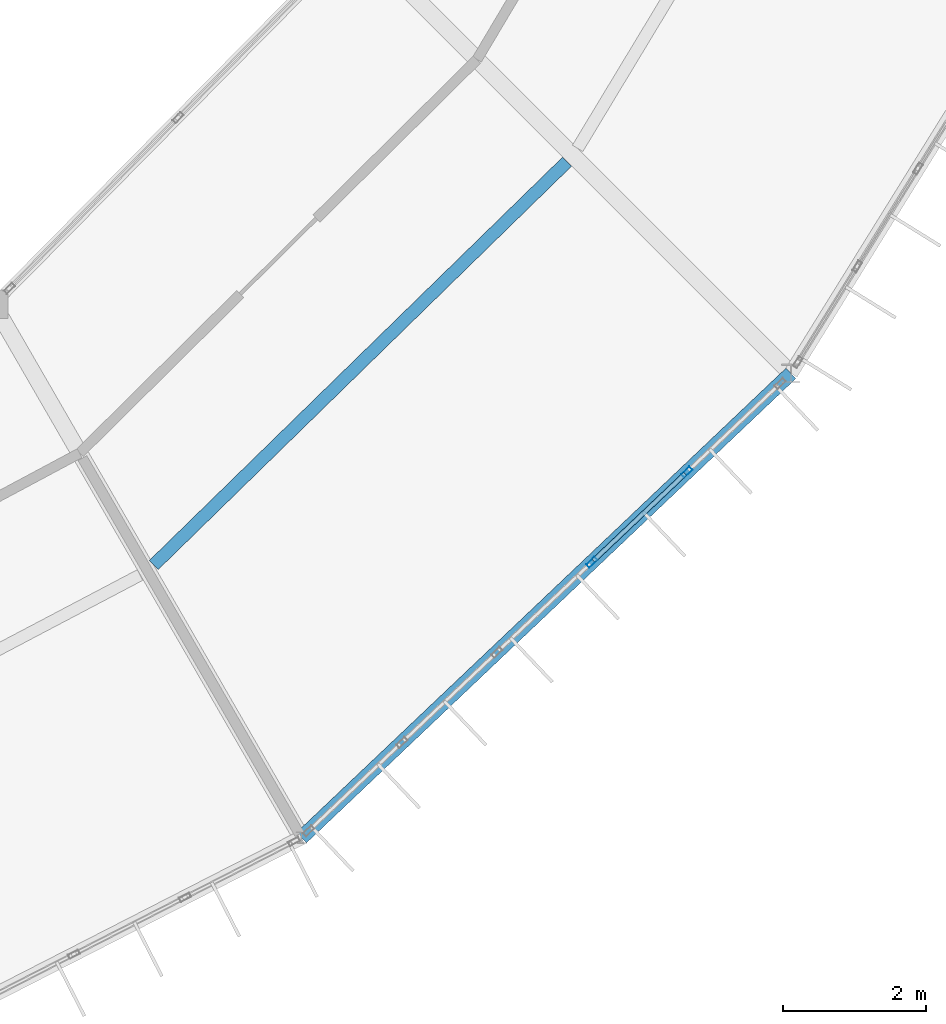
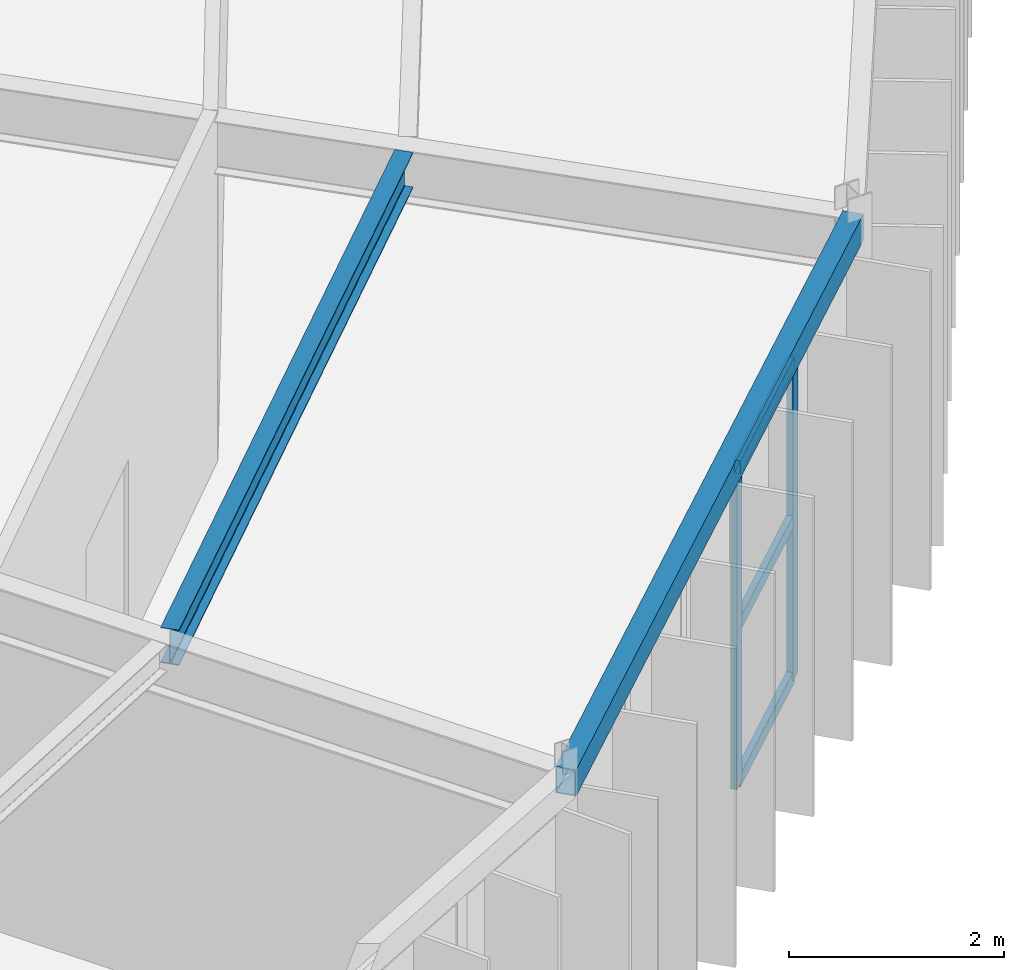
# One storey, part 59 of 157: 5 members, 2 beams, 1 element without a shape of its own.
"""IFC4 building model written with IfcOpenShell, lengths in metres."""

import ifcopenshell
import ifcopenshell.guid

model = None  # the IFC model being written
_history = None  # IfcOwnerHistory: only IFC2X3 demands one
_inside = {}  # id of a spatial element -> (the spatial element, [elements in it])
_under = {}  # id of a project, library or spatial element -> (it, [spatial elements below it])
_declared = {}  # id of a project -> (the project, [libraries it declares])
_typed = {}  # id of a type object -> (the type object, [elements of that type])
_made_of = {}  # id of a material, layer set ... -> (it, [elements and type objects made of it])


def new_model(schema):
    """Start an empty IFC model of exactly this schema.

    Asked for "IFC4X3", IfcOpenShell would pick the latest addendum, in which some entities
    have other attributes; the version numbers below select the first issue.
    IFC2X3 requires an IfcOwnerHistory on every rooted entity: one is made here for all.
    """
    global model, _history
    if schema == "IFC4X3":
        model = ifcopenshell.file(schema_version=(4, 3, 0, 0))
    else:
        model = ifcopenshell.file(schema=schema)
    _inside.clear()
    _under.clear()
    _declared.clear()
    _typed.clear()
    _made_of.clear()
    _history = None
    if model.schema == "IFC2X3":
        org = make("IfcOrganization", Name="unknown")
        user = make(
            "IfcPersonAndOrganization",
            ThePerson=make("IfcPerson", FamilyName="unknown"),
            TheOrganization=org,
        )
        app = make(
            "IfcApplication",
            ApplicationDeveloper=org,
            Version="unknown",
            ApplicationFullName="unknown",
            ApplicationIdentifier="unknown",
        )
        _history = make(
            "IfcOwnerHistory",
            OwningUser=user,
            OwningApplication=app,
            ChangeAction="ADDED",
            CreationDate=0,
        )
    return model


def make(cls, **values):
    """One entity of the class cls with the attributes given. An attribute that is None is left unset."""
    return model.create_entity(
        cls, **{name: value for name, value in values.items() if value is not None}
    )


def rooted(cls, **values):
    """An entity with a GlobalId (a new one), such as an element, a storey or a relation."""
    return make(cls, GlobalId=ifcopenshell.guid.new(), OwnerHistory=_history, **values)


def si_unit(unit_type, name, prefix=None):
    """IfcSIUnit, for example si_unit("LENGTHUNIT", "METRE", prefix="MILLI")."""
    return make("IfcSIUnit", UnitType=unit_type, Prefix=prefix, Name=name)


def assignment(units):
    """IfcUnitAssignment: the units of a project."""
    return None if units is None else make("IfcUnitAssignment", Units=units)


def point(xyz):
    """IfcCartesianPoint."""
    return None if xyz is None else make("IfcCartesianPoint", Coordinates=xyz)


def direction(xyz):
    """IfcDirection."""
    return None if xyz is None else make("IfcDirection", DirectionRatios=xyz)


def frame(location, z_axis=None, x_axis=None):
    """IfcAxis2Placement3D, a coordinate frame: its origin and axes. An axis left out is left unset."""
    return make(
        "IfcAxis2Placement3D",
        Location=point(location),
        Axis=direction(z_axis),
        RefDirection=direction(x_axis),
    )


def frame_2d(location, x_axis=None):
    """IfcAxis2Placement2D, a coordinate frame in the plane: its origin and x axis."""
    return make(
        "IfcAxis2Placement2D", Location=point(location), RefDirection=direction(x_axis)
    )


def origin():
    """The frame at (0, 0, 0) with its axes left unset."""
    return frame((0.0, 0.0, 0.0))


def origin_2d():
    """The frame at (0, 0) in the plane with its x axis left unset."""
    return frame_2d((0.0, 0.0))


def place(relative_to, where):
    """IfcLocalPlacement: puts the frame where relative to a parent placement (None: the world)."""
    return make(
        "IfcLocalPlacement", PlacementRelTo=relative_to, RelativePlacement=where
    )


def context(
    kind, dimensions, precision=None, world=None, true_north=None, identifier=None
):
    """IfcGeometricRepresentationContext, for example the 3D "Model" context."""
    return make(
        "IfcGeometricRepresentationContext",
        ContextIdentifier=identifier,
        ContextType=kind,
        CoordinateSpaceDimension=dimensions,
        Precision=precision,
        WorldCoordinateSystem=world,
        TrueNorth=true_north,
    )


def subcontext(parent, identifier, kind, view, scale=None):
    """IfcGeometricRepresentationSubContext, for example "Body" below "Model"."""
    return make(
        "IfcGeometricRepresentationSubContext",
        ContextIdentifier=identifier,
        ContextType=kind,
        ParentContext=parent,
        TargetScale=scale,
        TargetView=view,
    )


def project(units=None, contexts=None):
    """IfcProject with its units and contexts."""
    return rooted(
        "IfcProject",
        Name="project",
        RepresentationContexts=contexts,
        UnitsInContext=assignment(units),
    )


def spatial(cls, under=None, at=None, **own):
    """A site, building, storey or space (cls), placed at a placement, below another one or the project."""
    s = rooted(cls, ObjectPlacement=at, **own)
    if under is not None:
        _under.setdefault(under.id(), (under, []))[1].append(s)
    return s


def profile(cls, at=None, kind="AREA", **sizes):
    """A parametric profile (cls). Its sizes go by their IFC names, for example OverallWidth=200.0."""
    return make(cls, ProfileType=kind, Position=at, **sizes)


def hollow_rectangle(**sizes):
    """IfcRectangleHollowProfileDef."""
    return profile("IfcRectangleHollowProfileDef", **sizes)


def i_section(**sizes):
    """IfcIShapeProfileDef."""
    return profile("IfcIShapeProfileDef", **sizes)


def extrude(swept, where, along, depth):
    """IfcExtrudedAreaSolid: the profile swept, set in the frame where, extruded along a direction by depth."""
    return make(
        "IfcExtrudedAreaSolid",
        SweptArea=swept,
        Position=where,
        ExtrudedDirection=direction(along),
        Depth=depth,
    )


def shape(context_of_items, identifier, shape_type, items):
    """IfcShapeRepresentation: the items that make up one representation, for example the "Body"."""
    return make(
        "IfcShapeRepresentation",
        ContextOfItems=context_of_items,
        RepresentationIdentifier=identifier,
        RepresentationType=shape_type,
        Items=items,
    )


def material(Name=None, Category=None):
    """IfcMaterial."""
    return make("IfcMaterial", Name=Name, Category=Category)


def material_profile(
    of_material, cross_section, Name=None, Category=None, Priority=None
):
    """IfcMaterialProfile: a cross section and its material."""
    return make(
        "IfcMaterialProfile",
        Name=Name,
        Material=of_material,
        Profile=cross_section,
        Priority=Priority,
        Category=Category,
    )


def profile_set(profiles, Name=None, composite=None):
    """IfcMaterialProfileSet."""
    return make(
        "IfcMaterialProfileSet",
        Name=Name,
        MaterialProfiles=profiles,
        CompositeProfile=composite,
    )


def made_of(thing, what):
    """Note that an element or type object is made of a material, layer set ...; save() writes the relation."""
    if what is not None:
        _made_of.setdefault(what.id(), (what, []))[1].append(thing)
    return thing


def type_object(cls, material=None, **own):
    """A type object (cls), such as IfcWallType, which elements share."""
    return made_of(rooted(cls, **own), material)


def element(
    cls,
    number,
    at=None,
    inside=None,
    cuts=None,
    type_object=None,
    material=None,
    context=None,
    identifier="Body",
    shape_type=None,
    held_by="IfcProductDefinitionShape",
    body=None,
    shapes=None,
    **own,
):
    """One element of the class cls, such as IfcWall. Its Tag is "e" and its number.

    at: its placement. inside: the storey or other place that contains it. cuts: it is an
    opening in that element (IfcRelVoidsElement). A single representation is given by context,
    identifier, shape_type and body (its items); several are given by shapes. held_by: the class
    of the entity that holds the representations. save() writes the other relations.
    """
    e = rooted(cls, Tag="e%d" % number, ObjectPlacement=at, **own)
    if body is not None:
        shapes = [shape(context, identifier, shape_type, body)]
    if shapes is not None:
        e.Representation = make(held_by, Representations=shapes)
    if inside is not None:
        _inside.setdefault(inside.id(), (inside, []))[1].append(e)
    if cuts is not None:
        rooted(
            "IfcRelVoidsElement", RelatingBuildingElement=cuts, RelatedOpeningElement=e
        )
    if type_object is not None:
        _typed.setdefault(type_object.id(), (type_object, []))[1].append(e)
    return made_of(e, material)


def aggregate(whole, parts):
    """IfcRelAggregates: a whole, such as a stair, and the parts it consists of."""
    return rooted("IfcRelAggregates", RelatingObject=whole, RelatedObjects=parts)


def save(model, path):
    """Write the relations noted so far, then the file.

    IfcRelAggregates (storeys below a building ...), IfcRelContainedInSpatialStructure (elements
    in a storey), IfcRelDefinesByType, IfcRelAssociatesMaterial and IfcRelDeclares: one each for
    every whole, place, type object, material and project.
    """
    for whole, parts in _under.values():
        aggregate(whole, parts)
    for where, things in _inside.values():
        rooted(
            "IfcRelContainedInSpatialStructure",
            RelatedElements=things,
            RelatingStructure=where,
        )
    for kind, things in _typed.values():
        rooted("IfcRelDefinesByType", RelatedObjects=things, RelatingType=kind)
    for what, things in _made_of.values():
        rooted("IfcRelAssociatesMaterial", RelatedObjects=things, RelatingMaterial=what)
    for by, libraries in _declared.values():
        rooted("IfcRelDeclares", RelatingContext=by, RelatedDefinitions=libraries)
    model.write(path)


model = new_model("IFC4")

# Units and contexts
model_context = context("Model", 3, precision=1e-05, world=origin(), true_north=direction((0.0, 1.0)))
body_context = subcontext(model_context, "Body", "Model", "MODEL_VIEW")
ifc_project = project(units=[si_unit("LENGTHUNIT", "METRE"), si_unit("AREAUNIT", "SQUARE_METRE"), si_unit("VOLUMEUNIT", "CUBIC_METRE"), si_unit("PLANEANGLEUNIT", "RADIAN"), si_unit("MASSUNIT", "GRAM", prefix="KILO")], contexts=[model_context])

# Site, building, storey
site_placement = place(None, origin())
site = spatial("IfcSite", under=ifc_project, at=site_placement, CompositionType="ELEMENT")
building_placement = place(site_placement, origin())
building = spatial("IfcBuilding", under=site, at=building_placement, Name="Karori Crest Natural Sciences Institute", CompositionType="ELEMENT")
storey_placement = place(building_placement, frame((0.0, 0.0, 13.300048828125)))
storey = spatial("IfcBuildingStorey", under=building, at=storey_placement, Name="L03", CompositionType="ELEMENT", Elevation=13.300048828125)

# Beams
ifc_material_1 = material(Name="Hollow structural steel AS/NZS 1163 Grade C350", Category="steel")
ifc_material_profile_1 = material_profile(ifc_material_1, hollow_rectangle(XDim=0.199951171875, YDim=0.300048828125, WallThickness=0.010009765625, at=origin_2d()), Name="RHS300x200x10")
ifc_profile_set_1 = profile_set([ifc_material_profile_1], Name="Hollow structural steel AS/NZS 1163 Grade C350")
beam_type_1 = type_object("IfcBeamType", Name="BT-15", PredefinedType="SPANDREL", material=ifc_profile_set_1)
beam_1_placement = place(storey_placement, frame((82.89990234375, 14.566162109375, 3.7900390625), z_axis=(0.725481282589, 0.688241896874, 0.0), x_axis=(-0.688241896874, 0.725481282589, 0.0)))
element("IfcBeam", 1, at=beam_1_placement, inside=storey, type_object=beam_type_1, Name="Beam B-0436", PredefinedType="SPANDREL", context=body_context, shape_type="SweptSolid", body=[
    extrude(hollow_rectangle(XDim=0.199951171875, YDim=0.300048828125, WallThickness=0.010009765625, at=origin_2d()), origin(), (0.0, 0.0, 1.0), 9.4208984375),
])
ifc_material_2 = material(Name="Structural steel AS/NZS 3679.1 Grade 350", Category="steel")
ifc_material_profile_2 = material_profile(ifc_material_2, i_section(OverallWidth=0.177978515625, OverallDepth=0.403076171875, WebThickness=0.007568359375, FlangeThickness=0.010986328125, FilletRadius=0.010986328125, at=origin_2d()), Name="410UB53.7")
ifc_profile_set_2 = profile_set([ifc_material_profile_2], Name="Structural steel AS/NZS 3679.1 Grade 350")
beam_type_2 = type_object("IfcBeamType", Name="BT-29", PredefinedType="BEAM", material=ifc_profile_set_2)
beam_2_placement = place(storey_placement, frame((80.8359375, 18.373779296875, 3.738525390625), z_axis=(0.715681193625, 0.698427110794, 0.0), x_axis=(-0.698427110794, 0.715681193625, 0.0)))
element("IfcBeam", 2, at=beam_2_placement, inside=storey, type_object=beam_type_2, Name="Beam B-0439", PredefinedType="BEAM", context=body_context, shape_type="SweptSolid", body=[
    extrude(i_section(OverallWidth=0.177978515625, OverallDepth=0.403076171875, WebThickness=0.007568359375, FlangeThickness=0.010986328125, FilletRadius=0.010986328125, at=origin_2d()), origin(), (0.0, 0.0, 1.0), 8.0654296875),
])

# Curtain wall, members
ifc_material_3 = material(Name="Anodised architectural aluminium 6063-T6", Category="aluminium")
curtain_wall_type = type_object("IfcCurtainWallType", Name="CWT-01", PredefinedType="NOTDEFINED", material=ifc_material_3)
curtain_wall_placement = place(storey_placement, origin())
curtain_wall = element("IfcCurtainWall", 3, at=curtain_wall_placement, inside=storey, type_object=curtain_wall_type, Name="Curtain wall CW-0130", PredefinedType="NOTDEFINED")
ifc_material_profile_3 = material_profile(ifc_material_3, hollow_rectangle(XDim=0.06494140625, YDim=0.159912109375, WallThickness=0.00390625, at=origin_2d()), Name="CWM160x65x4")
ifc_profile_set_3 = profile_set([ifc_material_profile_3], Name="Anodised architectural aluminium 6063-T6")
member_type_1 = type_object("IfcMemberType", Name="CWM-01", PredefinedType="MULLION", material=ifc_profile_set_3)
member_1_placement = place(storey_placement, frame((88.281494140625, 19.671630859375, 0.0), z_axis=(0.0, 0.0, 1.0), x_axis=(0.688250542104, -0.725473081026, 0.0)))
member_1 = element("IfcMember", 4, at=member_1_placement, type_object=member_type_1, Name="CW-0130 mullion 2", PredefinedType="MULLION", context=body_context, shape_type="SweptSolid", body=[
    extrude(hollow_rectangle(XDim=0.06494140625, YDim=0.159912109375, WallThickness=0.00390625, at=origin_2d()), origin(), (0.0, 0.0, 1.0), 3.625),
])
member_2_placement = place(storey_placement, frame((86.955078125, 18.4130859375, 0.0), z_axis=(0.0, 0.0, 1.0), x_axis=(0.688250542104, -0.725473081026, 0.0)))
member_2 = element("IfcMember", 5, at=member_2_placement, type_object=member_type_1, Name="CW-0130 mullion 3", PredefinedType="MULLION", context=body_context, shape_type="SweptSolid", body=[
    extrude(hollow_rectangle(XDim=0.06494140625, YDim=0.159912109375, WallThickness=0.00390625, at=origin_2d()), origin(), (0.0, 0.0, 1.0), 3.625),
])
ifc_material_profile_4 = material_profile(ifc_material_3, hollow_rectangle(XDim=0.06494140625, YDim=0.14990234375, WallThickness=0.00390625, at=origin_2d()), Name="CWT150x65x4")
ifc_profile_set_4 = profile_set([ifc_material_profile_4], Name="Anodised architectural aluminium 6063-T6")
member_type_2 = type_object("IfcMemberType", Name="CWT-TR2", PredefinedType="USERDEFINED", material=ifc_profile_set_4)
member_3_placement = place(storey_placement, frame((88.2578125, 19.649169921875, 0.032470703125), z_axis=(-0.725483196334, -0.688239879575, 0.0), x_axis=(0.688239879575, -0.725483196334, 0.0)))
member_3 = element("IfcMember", 6, at=member_3_placement, type_object=member_type_2, Name="CW-0130 transom 2.1", ObjectType="TRANSOM", PredefinedType="USERDEFINED", context=body_context, shape_type="SweptSolid", body=[
    extrude(hollow_rectangle(XDim=0.06494140625, YDim=0.14990234375, WallThickness=0.00390625, at=origin_2d()), origin(), (0.0, 0.0, 1.0), 1.763427734375),
])
member_4_placement = place(storey_placement, frame((88.2578125, 19.649169921875, 1.8125), z_axis=(-0.725483196334, -0.688239879575, 0.0), x_axis=(0.688239879575, -0.725483196334, 0.0)))
member_4 = element("IfcMember", 7, at=member_4_placement, type_object=member_type_2, Name="CW-0130 transom 2.2", ObjectType="TRANSOM", PredefinedType="USERDEFINED", context=body_context, shape_type="SweptSolid", body=[
    extrude(hollow_rectangle(XDim=0.06494140625, YDim=0.14990234375, WallThickness=0.00390625, at=origin_2d()), origin(), (0.0, 0.0, 1.0), 1.763427734375),
])
member_5_placement = place(storey_placement, frame((88.2578125, 19.649169921875, 3.592529296875), z_axis=(-0.725483196334, -0.688239879575, 0.0), x_axis=(0.688239879575, -0.725483196334, 0.0)))
member_5 = element("IfcMember", 8, at=member_5_placement, type_object=member_type_2, Name="CW-0130 transom 2.3", ObjectType="TRANSOM", PredefinedType="USERDEFINED", context=body_context, shape_type="SweptSolid", body=[
    extrude(hollow_rectangle(XDim=0.06494140625, YDim=0.14990234375, WallThickness=0.00390625, at=origin_2d()), origin(), (0.0, 0.0, 1.0), 1.763427734375),
])
aggregate(curtain_wall, [member_1, member_2, member_3, member_4, member_5])

save(model, "model.ifc")
